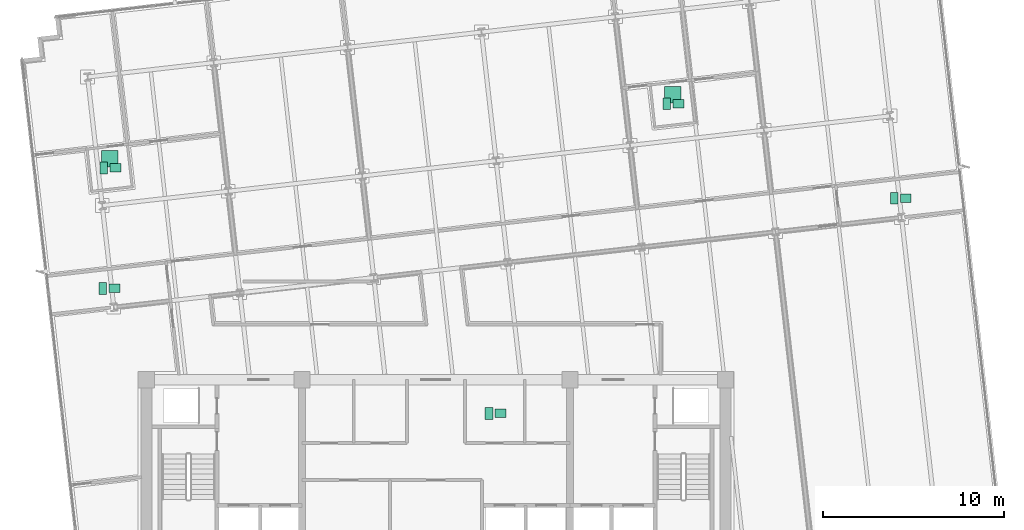
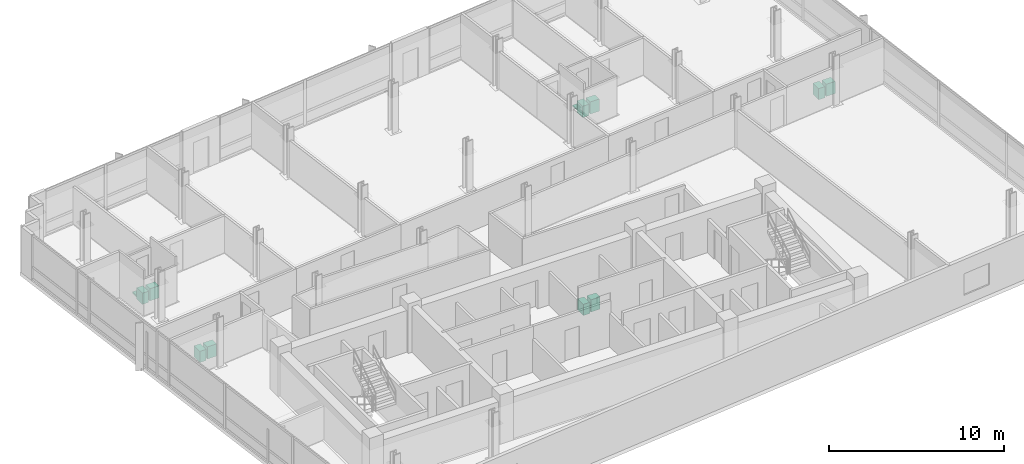
# One storey, part 15 of 15: 12 sanitary terminals.
"""IFC4 building model written with IfcOpenShell, lengths in metres."""

from ifc_helpers import new_model, si_unit, direction, frame, origin, origin_2d, place, context, subcontext, project, spatial, rectangle, extrude, material, type_object, element, save


model = new_model("IFC4")

# Units and contexts
model_context = context("Model", 3, precision=1e-05, world=origin(), true_north=direction((0.0, 1.0)))
body_context = subcontext(model_context, "Body", "Model", "MODEL_VIEW")
ifc_project = project(units=[si_unit("LENGTHUNIT", "METRE"), si_unit("AREAUNIT", "SQUARE_METRE"), si_unit("VOLUMEUNIT", "CUBIC_METRE"), si_unit("PLANEANGLEUNIT", "RADIAN"), si_unit("MASSUNIT", "GRAM", prefix="KILO")], contexts=[model_context])

# Site, building, storey
site_placement = place(None, origin())
site = spatial("IfcSite", under=ifc_project, at=site_placement, CompositionType="ELEMENT")
building_placement = place(site_placement, origin())
building = spatial("IfcBuilding", under=site, at=building_placement, Name="Solmavex Isthmus Hotel", CompositionType="ELEMENT")
storey_placement = place(building_placement, frame((0.0, 0.0, 226.199951171875)))
storey = spatial("IfcBuildingStorey", under=building, at=storey_placement, Name="L61", CompositionType="ELEMENT", Elevation=226.199951171875)

# Sanitary terminals
ifc_material = material(Name="Vitreous china ceramic", Category="ceramic")
sanitary_terminal_type_1 = type_object("IfcSanitaryTerminalType", Name="SAN-BASIN", PredefinedType="WASHHANDBASIN", material=ifc_material)
for number, where, z_axis, x_axis, name in (
    (1, (3.570068359375, -4.360107421875, 0.0), (0.0, 0.0, 1.0), (1.0, 0.0, 0.0), "Vanity Washbasin L61-306"),
    (2, (-17.710693359375, 9.203369140625, 0.0), (0.0, 0.0, 1.0), (1.0, 0.0, 0.0), "Vanity Washbasin L61-307"),
    (3, (13.39306640625, 12.747314453125, 0.0), (0.0, 0.0, 1.0), (1.0, 0.0, 0.0), "Vanity Washbasin L61-308"),
    (4, (-17.761474609375, 2.546875, 0.0), (0.0, 0.0, 1.0), (1.0, 0.0, 0.0), "Vanity Washbasin L61-309"),
    (5, (25.956787109375, 7.52783203125, 0.0), (0.0, 0.0, 1.0), (1.0, 0.0, 0.0), "Vanity Washbasin L61-310"),
):
    element("IfcSanitaryTerminal", number, at=place(storey_placement, frame(where, z_axis=z_axis, x_axis=x_axis)), inside=storey, type_object=sanitary_terminal_type_1, Name=name, PredefinedType="WASHHANDBASIN", context=body_context, shape_type="SweptSolid", body=[
        extrude(rectangle(XDim=0.60009765625, YDim=0.47998046875, at=origin_2d()), origin(), (0.0, 0.0, 1.0), 0.85009765625),
    ])
sanitary_terminal_type_2 = type_object("IfcSanitaryTerminalType", Name="SAN-SHOWER", PredefinedType="SHOWER", material=ifc_material)
for number, where, z_axis, x_axis, name in (
    (6, (-18.03076171875, 9.703369140625, 0.0), (0.0, 0.0, 1.0), (1.0, 0.0, 0.0), "Walk-In Shower L61-307"),
    (7, (13.072998046875, 13.247314453125, 0.0), (0.0, 0.0, 1.0), (1.0, 0.0, 0.0), "Walk-In Shower L61-308"),
):
    element("IfcSanitaryTerminal", number, at=place(storey_placement, frame(where, z_axis=z_axis, x_axis=x_axis)), inside=storey, type_object=sanitary_terminal_type_2, Name=name, PredefinedType="SHOWER", context=body_context, shape_type="SweptSolid", body=[
        extrude(rectangle(XDim=0.89990234375, YDim=0.89990234375, at=origin_2d()), origin(), (0.0, 0.0, 1.0), 0.080078125),
    ])
sanitary_terminal_type_3 = type_object("IfcSanitaryTerminalType", Name="SAN-WC-SUITE", PredefinedType="TOILETPAN", material=ifc_material)
for number, where, z_axis, x_axis, name in (
    (8, (2.929931640625, -4.360107421875, 0.0), (0.0, 0.0, 1.0), (1.0, 0.0, 0.0), "Water Closet L61-306"),
    (9, (-18.3505859375, 9.203369140625, 0.0), (0.0, 0.0, 1.0), (1.0, 0.0, 0.0), "Water Closet L61-307"),
    (10, (12.753173828125, 12.747314453125, 0.0), (0.0, 0.0, 1.0), (1.0, 0.0, 0.0), "Water Closet L61-308"),
    (11, (-18.401611328125, 2.546875, 0.0), (0.0, 0.0, 1.0), (1.0, 0.0, 0.0), "Water Closet L61-309"),
    (12, (25.316650390625, 7.52783203125, 0.0), (0.0, 0.0, 1.0), (1.0, 0.0, 0.0), "Water Closet L61-310"),
):
    element("IfcSanitaryTerminal", number, at=place(storey_placement, frame(where, z_axis=z_axis, x_axis=x_axis)), inside=storey, type_object=sanitary_terminal_type_3, Name=name, PredefinedType="TOILETPAN", context=body_context, shape_type="SweptSolid", body=[
        extrude(rectangle(XDim=0.419921875, YDim=0.64990234375, at=origin_2d()), origin(), (0.0, 0.0, 1.0), 0.780029296875),
    ])

save(model, "model.ifc")
